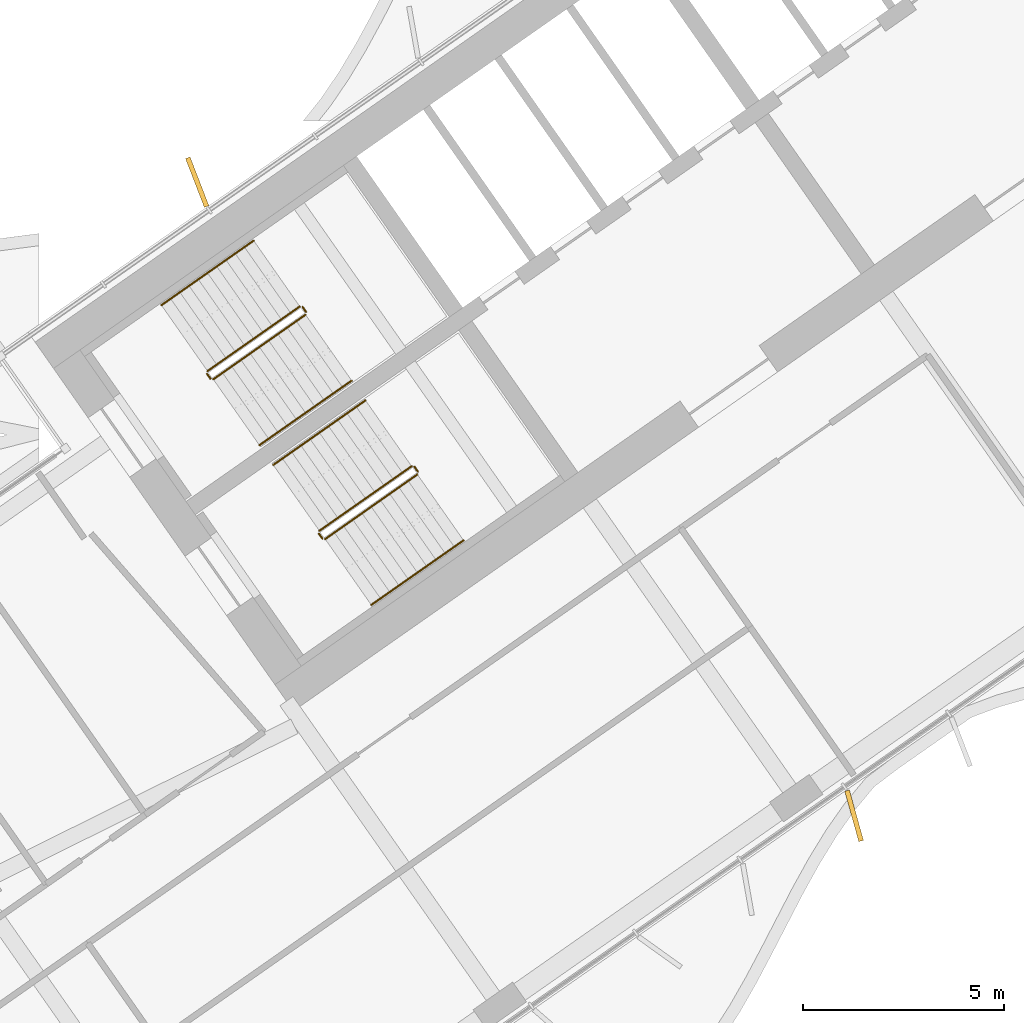
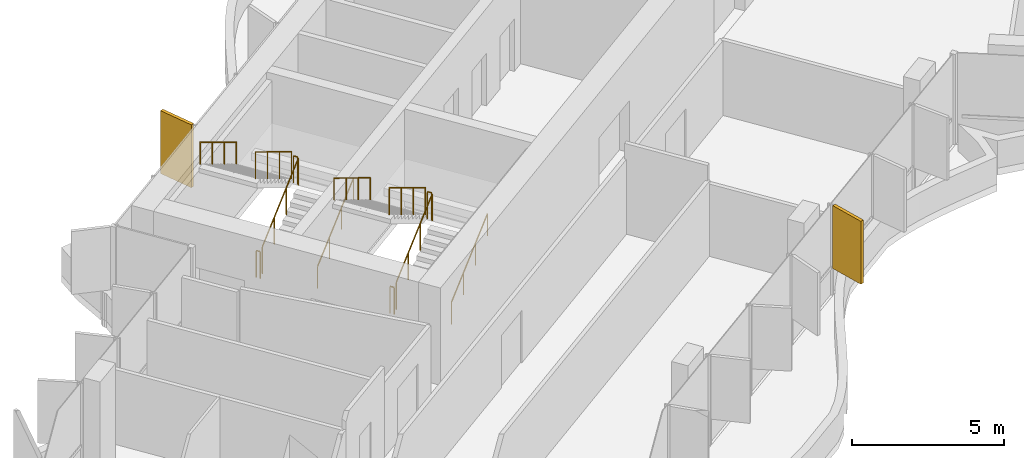
# One storey, part 18 of 21: 12 railings, 2 shading devices.
"""IFC4 building model written with IfcOpenShell, lengths in metres."""

import ifcopenshell
import ifcopenshell.guid

model = None  # the IFC model being written
_history = None  # IfcOwnerHistory: only IFC2X3 demands one
_inside = {}  # id of a spatial element -> (the spatial element, [elements in it])
_under = {}  # id of a project, library or spatial element -> (it, [spatial elements below it])
_declared = {}  # id of a project -> (the project, [libraries it declares])
_typed = {}  # id of a type object -> (the type object, [elements of that type])
_made_of = {}  # id of a material, layer set ... -> (it, [elements and type objects made of it])


def new_model(schema):
    """Start an empty IFC model of exactly this schema.

    Asked for "IFC4X3", IfcOpenShell would pick the latest addendum, in which some entities
    have other attributes; the version numbers below select the first issue.
    IFC2X3 requires an IfcOwnerHistory on every rooted entity: one is made here for all.
    """
    global model, _history
    if schema == "IFC4X3":
        model = ifcopenshell.file(schema_version=(4, 3, 0, 0))
    else:
        model = ifcopenshell.file(schema=schema)
    _inside.clear()
    _under.clear()
    _declared.clear()
    _typed.clear()
    _made_of.clear()
    _history = None
    if model.schema == "IFC2X3":
        org = make("IfcOrganization", Name="unknown")
        user = make(
            "IfcPersonAndOrganization",
            ThePerson=make("IfcPerson", FamilyName="unknown"),
            TheOrganization=org,
        )
        app = make(
            "IfcApplication",
            ApplicationDeveloper=org,
            Version="unknown",
            ApplicationFullName="unknown",
            ApplicationIdentifier="unknown",
        )
        _history = make(
            "IfcOwnerHistory",
            OwningUser=user,
            OwningApplication=app,
            ChangeAction="ADDED",
            CreationDate=0,
        )
    return model


def make(cls, **values):
    """One entity of the class cls with the attributes given. An attribute that is None is left unset."""
    return model.create_entity(
        cls, **{name: value for name, value in values.items() if value is not None}
    )


def rooted(cls, **values):
    """An entity with a GlobalId (a new one), such as an element, a storey or a relation."""
    return make(cls, GlobalId=ifcopenshell.guid.new(), OwnerHistory=_history, **values)


def si_unit(unit_type, name, prefix=None):
    """IfcSIUnit, for example si_unit("LENGTHUNIT", "METRE", prefix="MILLI")."""
    return make("IfcSIUnit", UnitType=unit_type, Prefix=prefix, Name=name)


def assignment(units):
    """IfcUnitAssignment: the units of a project."""
    return None if units is None else make("IfcUnitAssignment", Units=units)


def point(xyz):
    """IfcCartesianPoint."""
    return None if xyz is None else make("IfcCartesianPoint", Coordinates=xyz)


def direction(xyz):
    """IfcDirection."""
    return None if xyz is None else make("IfcDirection", DirectionRatios=xyz)


def frame(location, z_axis=None, x_axis=None):
    """IfcAxis2Placement3D, a coordinate frame: its origin and axes. An axis left out is left unset."""
    return make(
        "IfcAxis2Placement3D",
        Location=point(location),
        Axis=direction(z_axis),
        RefDirection=direction(x_axis),
    )


def frame_2d(location, x_axis=None):
    """IfcAxis2Placement2D, a coordinate frame in the plane: its origin and x axis."""
    return make(
        "IfcAxis2Placement2D", Location=point(location), RefDirection=direction(x_axis)
    )


def origin():
    """The frame at (0, 0, 0) with its axes left unset."""
    return frame((0.0, 0.0, 0.0))


def origin_2d():
    """The frame at (0, 0) in the plane with its x axis left unset."""
    return frame_2d((0.0, 0.0))


def place(relative_to, where):
    """IfcLocalPlacement: puts the frame where relative to a parent placement (None: the world)."""
    return make(
        "IfcLocalPlacement", PlacementRelTo=relative_to, RelativePlacement=where
    )


def context(
    kind, dimensions, precision=None, world=None, true_north=None, identifier=None
):
    """IfcGeometricRepresentationContext, for example the 3D "Model" context."""
    return make(
        "IfcGeometricRepresentationContext",
        ContextIdentifier=identifier,
        ContextType=kind,
        CoordinateSpaceDimension=dimensions,
        Precision=precision,
        WorldCoordinateSystem=world,
        TrueNorth=true_north,
    )


def subcontext(parent, identifier, kind, view, scale=None):
    """IfcGeometricRepresentationSubContext, for example "Body" below "Model"."""
    return make(
        "IfcGeometricRepresentationSubContext",
        ContextIdentifier=identifier,
        ContextType=kind,
        ParentContext=parent,
        TargetScale=scale,
        TargetView=view,
    )


def project(units=None, contexts=None):
    """IfcProject with its units and contexts."""
    return rooted(
        "IfcProject",
        Name="project",
        RepresentationContexts=contexts,
        UnitsInContext=assignment(units),
    )


def spatial(cls, under=None, at=None, **own):
    """A site, building, storey or space (cls), placed at a placement, below another one or the project."""
    s = rooted(cls, ObjectPlacement=at, **own)
    if under is not None:
        _under.setdefault(under.id(), (under, []))[1].append(s)
    return s


def profile(cls, at=None, kind="AREA", **sizes):
    """A parametric profile (cls). Its sizes go by their IFC names, for example OverallWidth=200.0."""
    return make(cls, ProfileType=kind, Position=at, **sizes)


def rectangle(**sizes):
    """IfcRectangleProfileDef."""
    return profile("IfcRectangleProfileDef", **sizes)


def circle(**sizes):
    """IfcCircleProfileDef."""
    return profile("IfcCircleProfileDef", **sizes)


def extrude(swept, where, along, depth):
    """IfcExtrudedAreaSolid: the profile swept, set in the frame where, extruded along a direction by depth."""
    return make(
        "IfcExtrudedAreaSolid",
        SweptArea=swept,
        Position=where,
        ExtrudedDirection=direction(along),
        Depth=depth,
    )


def shape(context_of_items, identifier, shape_type, items):
    """IfcShapeRepresentation: the items that make up one representation, for example the "Body"."""
    return make(
        "IfcShapeRepresentation",
        ContextOfItems=context_of_items,
        RepresentationIdentifier=identifier,
        RepresentationType=shape_type,
        Items=items,
    )


def material(Name=None, Category=None):
    """IfcMaterial."""
    return make("IfcMaterial", Name=Name, Category=Category)


def layer(
    of_material, thickness, ventilated=None, Name=None, Category=None, Priority=None
):
    """IfcMaterialLayer: one layer of a wall or slab, of a material (None: an air gap)."""
    return make(
        "IfcMaterialLayer",
        Material=of_material,
        LayerThickness=thickness,
        IsVentilated=ventilated,
        Name=Name,
        Category=Category,
        Priority=Priority,
    )


def layer_set(layers, Name=None):
    """IfcMaterialLayerSet."""
    return make("IfcMaterialLayerSet", MaterialLayers=layers, LayerSetName=Name)


def made_of(thing, what):
    """Note that an element or type object is made of a material, layer set ...; save() writes the relation."""
    if what is not None:
        _made_of.setdefault(what.id(), (what, []))[1].append(thing)
    return thing


def type_object(cls, material=None, **own):
    """A type object (cls), such as IfcWallType, which elements share."""
    return made_of(rooted(cls, **own), material)


def element(
    cls,
    number,
    at=None,
    inside=None,
    cuts=None,
    type_object=None,
    material=None,
    context=None,
    identifier="Body",
    shape_type=None,
    held_by="IfcProductDefinitionShape",
    body=None,
    shapes=None,
    **own,
):
    """One element of the class cls, such as IfcWall. Its Tag is "e" and its number.

    at: its placement. inside: the storey or other place that contains it. cuts: it is an
    opening in that element (IfcRelVoidsElement). A single representation is given by context,
    identifier, shape_type and body (its items); several are given by shapes. held_by: the class
    of the entity that holds the representations. save() writes the other relations.
    """
    e = rooted(cls, Tag="e%d" % number, ObjectPlacement=at, **own)
    if body is not None:
        shapes = [shape(context, identifier, shape_type, body)]
    if shapes is not None:
        e.Representation = make(held_by, Representations=shapes)
    if inside is not None:
        _inside.setdefault(inside.id(), (inside, []))[1].append(e)
    if cuts is not None:
        rooted(
            "IfcRelVoidsElement", RelatingBuildingElement=cuts, RelatedOpeningElement=e
        )
    if type_object is not None:
        _typed.setdefault(type_object.id(), (type_object, []))[1].append(e)
    return made_of(e, material)


def aggregate(whole, parts):
    """IfcRelAggregates: a whole, such as a stair, and the parts it consists of."""
    return rooted("IfcRelAggregates", RelatingObject=whole, RelatedObjects=parts)


def save(model, path):
    """Write the relations noted so far, then the file.

    IfcRelAggregates (storeys below a building ...), IfcRelContainedInSpatialStructure (elements
    in a storey), IfcRelDefinesByType, IfcRelAssociatesMaterial and IfcRelDeclares: one each for
    every whole, place, type object, material and project.
    """
    for whole, parts in _under.values():
        aggregate(whole, parts)
    for where, things in _inside.values():
        rooted(
            "IfcRelContainedInSpatialStructure",
            RelatedElements=things,
            RelatingStructure=where,
        )
    for kind, things in _typed.values():
        rooted("IfcRelDefinesByType", RelatedObjects=things, RelatingType=kind)
    for what, things in _made_of.values():
        rooted("IfcRelAssociatesMaterial", RelatedObjects=things, RelatingMaterial=what)
    for by, libraries in _declared.values():
        rooted("IfcRelDeclares", RelatingContext=by, RelatedDefinitions=libraries)
    model.write(path)


model = new_model("IFC4")

# Units and contexts
model_context = context("Model", 3, precision=1e-05, world=origin(), true_north=direction((0.0, 1.0)))
body_context = subcontext(model_context, "Body", "Model", "MODEL_VIEW")
ifc_project = project(units=[si_unit("LENGTHUNIT", "METRE"), si_unit("AREAUNIT", "SQUARE_METRE"), si_unit("VOLUMEUNIT", "CUBIC_METRE"), si_unit("PLANEANGLEUNIT", "RADIAN"), si_unit("MASSUNIT", "GRAM", prefix="KILO")], contexts=[model_context])

# Site, building, storey
site_placement = place(None, origin())
site = spatial("IfcSite", under=ifc_project, at=site_placement, CompositionType="ELEMENT")
building_placement = place(site_placement, origin())
building = spatial("IfcBuilding", under=site, at=building_placement, Name="Tel Ilan Convention Tower", CompositionType="ELEMENT")
storey_placement = place(building_placement, frame((0.0, 0.0, 159.300048828125)))
storey = spatial("IfcBuildingStorey", under=building, at=storey_placement, Name="L36", CompositionType="ELEMENT", Elevation=159.300048828125)

# Shading devices
ifc_material_1 = material(Name="Aluminium, bronze anodised", Category="aluminium")
ifc_layer = layer(ifc_material_1, 0.1201171875)
ifc_layer_set = layer_set([ifc_layer], Name="FIN BRONZE 1300x120")
shading_device_type = type_object("IfcShadingDeviceType", Name="FIN BRONZE 1300x120", PredefinedType="USERDEFINED", material=ifc_layer_set)
for number, where, z_axis, x_axis, name in (
    (1, (-23.935546875, -3.154541015625, 1.099853515625), (0.0, 0.0, 1.0), (-0.360177724803, 0.932883704733, 0.0), "FIN"),
    (2, (-7.599609375, -18.91162109375, 1.099853515625), (0.0, 0.0, 1.0), (0.268172612768, -0.963370878614, 0.0), "FIN"),
):
    element("IfcShadingDevice", number, at=place(storey_placement, frame(where, z_axis=z_axis, x_axis=x_axis)), inside=storey, type_object=shading_device_type, Name=name, ObjectType="FIN", PredefinedType="USERDEFINED", context=body_context, shape_type="SweptSolid", body=[
        extrude(rectangle(XDim=1.300048828125, YDim=0.1201171875, at=origin_2d()), origin(), (0.0, 0.0, 1.0), 2.52001953125),
    ])

# Railings
ifc_material_2 = material(Name="Stainless Steel Grade 316", Category="steel")
railing_type_1 = type_object("IfcRailingType", Name="Stainless Steel Stair Guard 1100 mm", PredefinedType="GUARDRAIL", material=ifc_material_2)
railing_1_placement = place(storey_placement, frame((-23.535400390625, -8.056396484375, 0.17724609375)))
element("IfcRailing", 3, at=railing_1_placement, inside=storey, type_object=railing_type_1, Name="L36 S1 stair guard 1", PredefinedType="GUARDRAIL", context=body_context, shape_type="SweptSolid", body=[
    extrude(circle(Radius=0.02392578125, at=origin_2d()), frame((0.0, 0.0, 1.076171875), z_axis=(0.692098378994, 0.484653031975, 0.534893701956), x_axis=(-0.573608623498, 0.819129505664, 0.0)), (0.0, 0.0, 1.0), 3.314208984375),
    extrude(circle(Radius=0.02099609375, at=origin_2d()), origin(), (0.0, 0.0, 1.0), 1.052001953125),
    extrude(circle(Radius=0.02099609375, at=origin_2d()), frame((0.7646484375, 0.535400390625, 0.5908203125)), (0.0, 0.0, 1.0), 1.052001953125),
    extrude(circle(Radius=0.02099609375, at=origin_2d()), frame((1.529052734375, 1.07080078125, 1.181884765625)), (0.0, 0.0, 1.0), 1.052001953125),
    extrude(circle(Radius=0.02099609375, at=origin_2d()), frame((2.293701171875, 1.606201171875, 1.772705078125)), (0.0, 0.0, 1.0), 1.052001953125),
])
railing_2_placement = place(storey_placement, frame((-21.2294921875, -6.380615234375, 1.949951171875)))
element("IfcRailing", 4, at=railing_2_placement, inside=storey, type_object=railing_type_1, Name="L36 S1 stair guard 2", PredefinedType="GUARDRAIL", context=body_context, shape_type="SweptSolid", body=[
    extrude(circle(Radius=0.02392578125, at=origin_2d()), frame((0.0, 0.0, 1.076171875), z_axis=(-0.573353020881, 0.819308436089, 0.0), x_axis=(-0.819308436089, -0.573353020881, 0.0)), (0.0, 0.0, 1.0), 0.14990234375),
    extrude(circle(Radius=0.02099609375, at=origin_2d()), origin(), (0.0, 0.0, 1.0), 1.052001953125),
    extrude(circle(Radius=0.02099609375, at=origin_2d()), frame((-0.0859375, 0.122802734375, 0.0)), (0.0, 0.0, 1.0), 1.052001953125),
])
railing_3_placement = place(storey_placement, frame((-21.38525390625, -6.24560546875, 2.127197265625)))
element("IfcRailing", 5, at=railing_3_placement, inside=storey, type_object=railing_type_1, Name="L36 S1 stair guard 3", PredefinedType="GUARDRAIL", context=body_context, shape_type="SweptSolid", body=[
    extrude(circle(Radius=0.02392578125, at=origin_2d()), frame((0.0, 0.0, 1.076171875), z_axis=(-0.692084706163, -0.484621375041, 0.534940073605), x_axis=(0.573591086599, -0.819141785879, 0.0)), (0.0, 0.0, 1.0), 3.313720703125),
    extrude(circle(Radius=0.02099609375, at=origin_2d()), origin(), (0.0, 0.0, 1.0), 1.052001953125),
    extrude(circle(Radius=0.02099609375, at=origin_2d()), frame((-0.764404296875, -0.535400390625, 0.5908203125)), (0.0, 0.0, 1.0), 1.052001953125),
    extrude(circle(Radius=0.02099609375, at=origin_2d()), frame((-1.529052734375, -1.070556640625, 1.181884765625)), (0.0, 0.0, 1.0), 1.052001953125),
    extrude(circle(Radius=0.02099609375, at=origin_2d()), frame((-2.29345703125, -1.60595703125, 1.772705078125)), (0.0, 0.0, 1.0), 1.052001953125),
])
railing_4_placement = place(storey_placement, frame((-23.60498046875, -8.0439453125, 0.0)))
element("IfcRailing", 6, at=railing_4_placement, inside=storey, type_object=railing_type_1, Name="L36 S1 stair guard 4", PredefinedType="GUARDRAIL", context=body_context, shape_type="SweptSolid", body=[
    extrude(circle(Radius=0.02392578125, at=origin_2d()), frame((0.0, 0.0, 1.076171875), z_axis=(-0.574444878118, 0.818543268254, 0.0), x_axis=(-0.818543268254, -0.574444878118, 0.0)), (0.0, 0.0, 1.0), 0.150146484375),
    extrude(circle(Radius=0.02099609375, at=origin_2d()), origin(), (0.0, 0.0, 1.0), 1.052001953125),
    extrude(circle(Radius=0.02099609375, at=origin_2d()), frame((-0.086181640625, 0.122802734375, 0.0)), (0.0, 0.0, 1.0), 1.052001953125),
])
railing_5_placement = place(storey_placement, frame((-20.753662109375, -12.029296875, 0.17724609375)))
element("IfcRailing", 7, at=railing_5_placement, inside=storey, type_object=railing_type_1, Name="L36 S2 stair guard 1", PredefinedType="GUARDRAIL", context=body_context, shape_type="SweptSolid", body=[
    extrude(circle(Radius=0.02392578125, at=origin_2d()), frame((0.0, 0.0, 1.076171875), z_axis=(0.692098378994, 0.484653031975, 0.534893701956), x_axis=(-0.573608623498, 0.819129505664, 0.0)), (0.0, 0.0, 1.0), 3.314208984375),
    extrude(circle(Radius=0.02099609375, at=origin_2d()), origin(), (0.0, 0.0, 1.0), 1.052001953125),
    extrude(circle(Radius=0.02099609375, at=origin_2d()), frame((0.7646484375, 0.535400390625, 0.5908203125)), (0.0, 0.0, 1.0), 1.052001953125),
    extrude(circle(Radius=0.02099609375, at=origin_2d()), frame((1.529052734375, 1.07080078125, 1.181884765625)), (0.0, 0.0, 1.0), 1.052001953125),
    extrude(circle(Radius=0.02099609375, at=origin_2d()), frame((2.293701171875, 1.606201171875, 1.772705078125)), (0.0, 0.0, 1.0), 1.052001953125),
])
railing_6_placement = place(storey_placement, frame((-18.44775390625, -10.353515625, 1.949951171875)))
element("IfcRailing", 8, at=railing_6_placement, inside=storey, type_object=railing_type_1, Name="L36 S2 stair guard 2", PredefinedType="GUARDRAIL", context=body_context, shape_type="SweptSolid", body=[
    extrude(circle(Radius=0.02392578125, at=origin_2d()), frame((0.0, 0.0, 1.076171875), z_axis=(-0.573353020881, 0.819308436089, 0.0), x_axis=(-0.819308436089, -0.573353020881, 0.0)), (0.0, 0.0, 1.0), 0.14990234375),
    extrude(circle(Radius=0.02099609375, at=origin_2d()), origin(), (0.0, 0.0, 1.0), 1.052001953125),
    extrude(circle(Radius=0.02099609375, at=origin_2d()), frame((-0.0859375, 0.122802734375, 0.0)), (0.0, 0.0, 1.0), 1.052001953125),
])
railing_7_placement = place(storey_placement, frame((-18.603271484375, -10.218505859375, 2.127197265625)))
element("IfcRailing", 9, at=railing_7_placement, inside=storey, type_object=railing_type_1, Name="L36 S2 stair guard 3", PredefinedType="GUARDRAIL", context=body_context, shape_type="SweptSolid", body=[
    extrude(circle(Radius=0.02392578125, at=origin_2d()), frame((0.0, 0.0, 1.076171875), z_axis=(-0.692123088272, -0.484596665743, 0.534912798717), x_axis=(0.573550118428, -0.819170471667, 0.0)), (0.0, 0.0, 1.0), 3.31396484375),
    extrude(circle(Radius=0.02099609375, at=origin_2d()), origin(), (0.0, 0.0, 1.0), 1.052001953125),
    extrude(circle(Radius=0.02099609375, at=origin_2d()), frame((-0.7646484375, -0.535400390625, 0.5908203125)), (0.0, 0.0, 1.0), 1.052001953125),
    extrude(circle(Radius=0.02099609375, at=origin_2d()), frame((-1.529052734375, -1.070556640625, 1.181884765625)), (0.0, 0.0, 1.0), 1.052001953125),
    extrude(circle(Radius=0.02099609375, at=origin_2d()), frame((-2.293701171875, -1.60595703125, 1.772705078125)), (0.0, 0.0, 1.0), 1.052001953125),
])
railing_8_placement = place(storey_placement, frame((-20.8232421875, -12.016845703125, 0.0)))
element("IfcRailing", 10, at=railing_8_placement, inside=storey, type_object=railing_type_1, Name="L36 S2 stair guard 4", PredefinedType="GUARDRAIL", context=body_context, shape_type="SweptSolid", body=[
    extrude(circle(Radius=0.02392578125, at=origin_2d()), frame((0.0, 0.0, 1.076171875), z_axis=(-0.573353020881, 0.819308436089, 0.0), x_axis=(-0.819308436089, -0.573353020881, 0.0)), (0.0, 0.0, 1.0), 0.14990234375),
    extrude(circle(Radius=0.02099609375, at=origin_2d()), origin(), (0.0, 0.0, 1.0), 1.052001953125),
    extrude(circle(Radius=0.02099609375, at=origin_2d()), frame((-0.0859375, 0.122802734375, 0.0)), (0.0, 0.0, 1.0), 1.052001953125),
])
ifc_material_3 = material(Name="Stainless Steel Grade 316", Category="steel")
railing_type_2 = type_object("IfcRailingType", Name="Stainless Steel Stair Handrail 900 mm", PredefinedType="HANDRAIL", material=ifc_material_3)
railing_9_placement = place(storey_placement, frame((-22.38818359375, -9.694580078125, 0.17724609375)))
element("IfcRailing", 11, at=railing_9_placement, inside=storey, type_object=railing_type_2, Name="L36 S1 stair handrail 1", PredefinedType="HANDRAIL", context=body_context, shape_type="SweptSolid", body=[
    extrude(circle(Radius=0.02392578125, at=origin_2d()), frame((0.0, 0.0, 0.8759765625), z_axis=(0.692084706163, 0.484621375041, 0.534940073605), x_axis=(-0.573591086599, 0.819141785879, 0.0)), (0.0, 0.0, 1.0), 3.313720703125),
    extrude(circle(Radius=0.02099609375, at=origin_2d()), origin(), (0.0, 0.0, 1.0), 0.851806640625),
    extrude(circle(Radius=0.02099609375, at=origin_2d()), frame((0.764404296875, 0.535400390625, 0.5908203125)), (0.0, 0.0, 1.0), 0.851806640625),
    extrude(circle(Radius=0.02099609375, at=origin_2d()), frame((1.529052734375, 1.070556640625, 1.181884765625)), (0.0, 0.0, 1.0), 0.851806640625),
    extrude(circle(Radius=0.02099609375, at=origin_2d()), frame((2.29345703125, 1.60595703125, 1.772705078125)), (0.0, 0.0, 1.0), 0.851806640625),
])
railing_10_placement = place(storey_placement, frame((-22.5322265625, -4.607177734375, 2.127197265625)))
element("IfcRailing", 12, at=railing_10_placement, inside=storey, type_object=railing_type_2, Name="L36 S1 stair handrail 2", PredefinedType="HANDRAIL", context=body_context, shape_type="SweptSolid", body=[
    extrude(circle(Radius=0.02392578125, at=origin_2d()), frame((0.0, 0.0, 0.8759765625), z_axis=(-0.692123088272, -0.484596665743, 0.534912798717), x_axis=(0.573550118428, -0.819170471667, 0.0)), (0.0, 0.0, 1.0), 3.31396484375),
    extrude(circle(Radius=0.02099609375, at=origin_2d()), origin(), (0.0, 0.0, 1.0), 0.851806640625),
    extrude(circle(Radius=0.02099609375, at=origin_2d()), frame((-0.7646484375, -0.535400390625, 0.5908203125)), (0.0, 0.0, 1.0), 0.851806640625),
    extrude(circle(Radius=0.02099609375, at=origin_2d()), frame((-1.529052734375, -1.070556640625, 1.181884765625)), (0.0, 0.0, 1.0), 0.851806640625),
    extrude(circle(Radius=0.02099609375, at=origin_2d()), frame((-2.293701171875, -1.60595703125, 1.772705078125)), (0.0, 0.0, 1.0), 0.851806640625),
])
railing_11_placement = place(storey_placement, frame((-19.6064453125, -13.66748046875, 0.17724609375)))
element("IfcRailing", 13, at=railing_11_placement, inside=storey, type_object=railing_type_2, Name="L36 S2 stair handrail 1", PredefinedType="HANDRAIL", context=body_context, shape_type="SweptSolid", body=[
    extrude(circle(Radius=0.02392578125, at=origin_2d()), frame((0.0, 0.0, 0.8759765625), z_axis=(0.692123088272, 0.484596665743, 0.534912798717), x_axis=(-0.573550118428, 0.819170471667, 0.0)), (0.0, 0.0, 1.0), 3.31396484375),
    extrude(circle(Radius=0.02099609375, at=origin_2d()), origin(), (0.0, 0.0, 1.0), 0.851806640625),
    extrude(circle(Radius=0.02099609375, at=origin_2d()), frame((0.7646484375, 0.535400390625, 0.5908203125)), (0.0, 0.0, 1.0), 0.851806640625),
    extrude(circle(Radius=0.02099609375, at=origin_2d()), frame((1.529052734375, 1.070556640625, 1.181884765625)), (0.0, 0.0, 1.0), 0.851806640625),
    extrude(circle(Radius=0.02099609375, at=origin_2d()), frame((2.293701171875, 1.60595703125, 1.772705078125)), (0.0, 0.0, 1.0), 0.851806640625),
])
railing_12_placement = place(storey_placement, frame((-19.75048828125, -8.580078125, 2.127197265625)))
element("IfcRailing", 14, at=railing_12_placement, inside=storey, type_object=railing_type_2, Name="L36 S2 stair handrail 2", PredefinedType="HANDRAIL", context=body_context, shape_type="SweptSolid", body=[
    extrude(circle(Radius=0.02392578125, at=origin_2d()), frame((0.0, 0.0, 0.8759765625), z_axis=(-0.692123088272, -0.484596665743, 0.534912798717), x_axis=(0.573550118428, -0.819170471667, 0.0)), (0.0, 0.0, 1.0), 3.31396484375),
    extrude(circle(Radius=0.02099609375, at=origin_2d()), origin(), (0.0, 0.0, 1.0), 0.851806640625),
    extrude(circle(Radius=0.02099609375, at=origin_2d()), frame((-0.7646484375, -0.535400390625, 0.5908203125)), (0.0, 0.0, 1.0), 0.851806640625),
    extrude(circle(Radius=0.02099609375, at=origin_2d()), frame((-1.529052734375, -1.070556640625, 1.181884765625)), (0.0, 0.0, 1.0), 0.851806640625),
    extrude(circle(Radius=0.02099609375, at=origin_2d()), frame((-2.293701171875, -1.60595703125, 1.772705078125)), (0.0, 0.0, 1.0), 0.851806640625),
])

save(model, "model.ifc")
